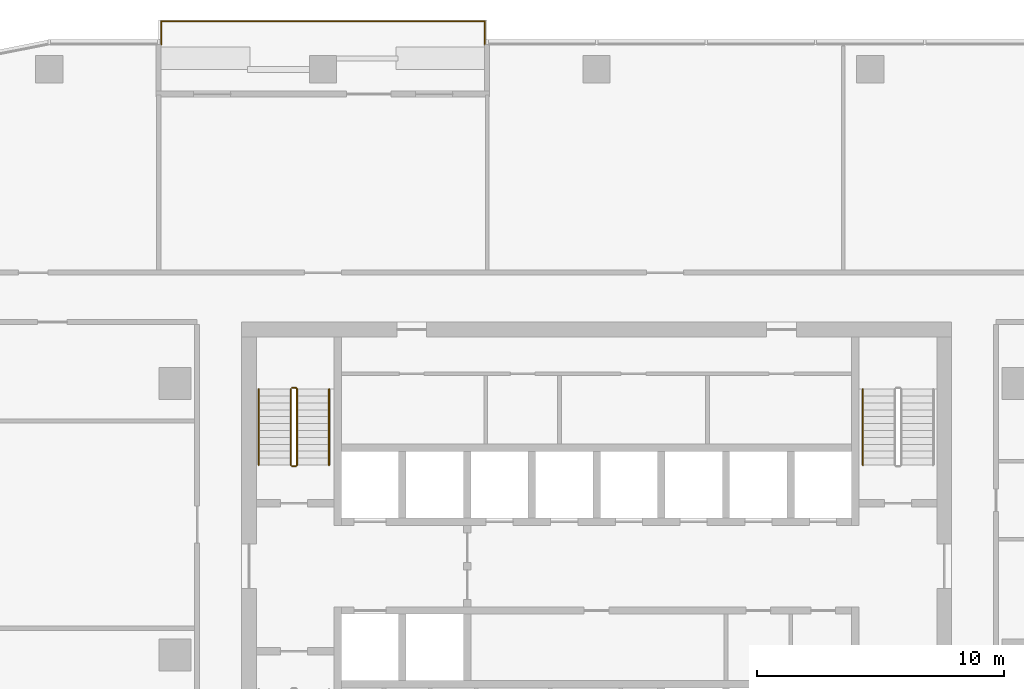
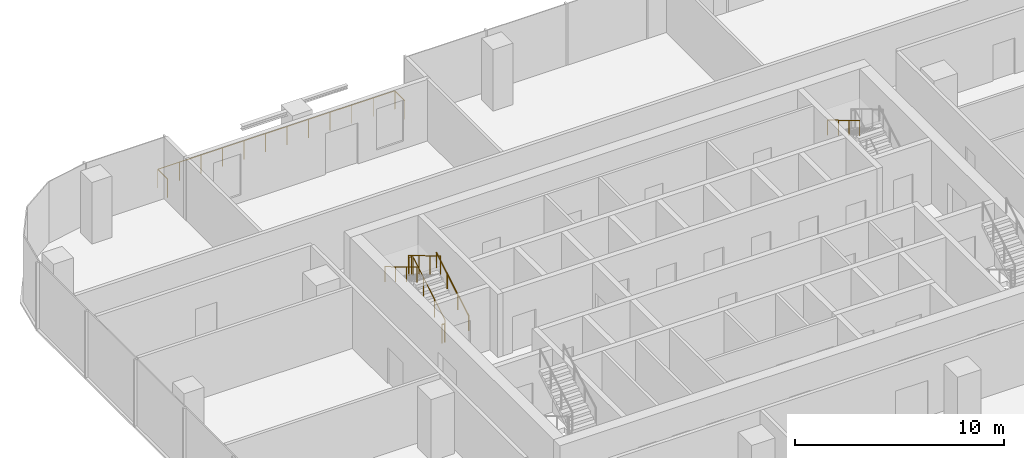
# One storey, part 13 of 14: 7 railings.
"""IFC4 building model written with IfcOpenShell, lengths in metres."""

from ifc_helpers import new_model, si_unit, direction, frame, origin, origin_2d, place, context, subcontext, project, spatial, circle, extrude, material, type_object, element, save


model = new_model("IFC4")

# Units and contexts
model_context = context("Model", 3, precision=1e-05, world=origin(), true_north=direction((0.0, 1.0)))
body_context = subcontext(model_context, "Body", "Model", "MODEL_VIEW")
ifc_project = project(units=[si_unit("LENGTHUNIT", "METRE"), si_unit("AREAUNIT", "SQUARE_METRE"), si_unit("VOLUMEUNIT", "CUBIC_METRE"), si_unit("PLANEANGLEUNIT", "RADIAN"), si_unit("MASSUNIT", "GRAM", prefix="KILO")], contexts=[model_context])

# Site, building, storey
site_placement = place(None, origin())
site = spatial("IfcSite", under=ifc_project, at=site_placement, CompositionType="ELEMENT")
building_placement = place(site_placement, origin())
building = spatial("IfcBuilding", under=site, at=building_placement, Name="Mopane Tessera Tower", CompositionType="ELEMENT")
storey_placement = place(building_placement, frame((0.0, 0.0, 227.0)))
storey = spatial("IfcBuildingStorey", under=building, at=storey_placement, Name="L48", CompositionType="ELEMENT", Elevation=227.0)

# Railings
ifc_material_1 = material(Name="Powder-coated steel balustrade", Category="steel")
railing_type_1 = type_object("IfcRailingType", Name="Escape stair guard 1100 mm", PredefinedType="GUARDRAIL", material=ifc_material_1)
railing_1_placement = place(storey_placement, frame((-12.14990234375, 7.699951171875, 0.166748046875)))
element("IfcRailing", 1, at=railing_1_placement, inside=storey, type_object=railing_type_1, Name="L48 ST2 stair guard 1", PredefinedType="GUARDRAIL", context=body_context, shape_type="SweptSolid", body=[
    extrude(circle(Radius=0.02392578125, at=origin_2d()), frame((0.0, 0.0, 1.076171875), z_axis=(0.0, 0.859308565015, 0.511457515432), x_axis=(-1.0, 0.0, 0.0)), (0.0, 0.0, 1.0), 3.58447265625),
    extrude(circle(Radius=0.02392578125, at=origin_2d()), frame((0.0, 3.080078125, 2.9091796875), z_axis=(-0.707106781187, 0.707106781187, 0.0), x_axis=(-0.707106781187, -0.707106781187, 0.0)), (0.0, 0.0, 1.0), 0.07080078125),
    extrude(circle(Radius=0.02392578125, at=origin_2d()), frame((-0.050048828125, 3.130126953125, 2.9091796875), z_axis=(-1.0, 0.0, 0.0), x_axis=(0.0, -1.0, 0.0)), (0.0, 0.0, 1.0), 0.150146484375),
    extrude(circle(Radius=0.02099609375, at=origin_2d()), origin(), (0.0, 0.0, 1.0), 1.052001953125),
    extrude(circle(Radius=0.02099609375, at=origin_2d()), frame((0.0, 1.026611328125, 0.611083984375)), (0.0, 0.0, 1.0), 1.052001953125),
    extrude(circle(Radius=0.02099609375, at=origin_2d()), frame((0.0, 2.053466796875, 1.22216796875)), (0.0, 0.0, 1.0), 1.052001953125),
    extrude(circle(Radius=0.02099609375, at=origin_2d()), frame((0.0, 3.080078125, 1.833251953125)), (0.0, 0.0, 1.0), 1.052001953125),
    extrude(circle(Radius=0.02099609375, at=origin_2d()), frame((-0.050048828125, 3.130126953125, 1.833251953125)), (0.0, 0.0, 1.0), 1.052001953125),
    extrude(circle(Radius=0.02099609375, at=origin_2d()), frame((-0.2001953125, 3.130126953125, 1.833251953125)), (0.0, 0.0, 1.0), 1.052001953125),
])
railing_2_placement = place(storey_placement, frame((-12.39990234375, 10.780029296875, 2.166748046875)))
element("IfcRailing", 2, at=railing_2_placement, inside=storey, type_object=railing_type_1, Name="L48 ST2 stair guard 2", PredefinedType="GUARDRAIL", context=body_context, shape_type="SweptSolid", body=[
    extrude(circle(Radius=0.02392578125, at=origin_2d()), frame((0.0, 0.0, 1.076171875), z_axis=(0.0, -0.859308565015, 0.511457515432), x_axis=(1.0, 0.0, 0.0)), (0.0, 0.0, 1.0), 3.58447265625),
    extrude(circle(Radius=0.02099609375, at=origin_2d()), origin(), (0.0, 0.0, 1.0), 1.052001953125),
    extrude(circle(Radius=0.02099609375, at=origin_2d()), frame((0.0, -1.026611328125, 0.611083984375)), (0.0, 0.0, 1.0), 1.052001953125),
    extrude(circle(Radius=0.02099609375, at=origin_2d()), frame((0.0, -2.053466796875, 1.22216796875)), (0.0, 0.0, 1.0), 1.052001953125),
    extrude(circle(Radius=0.02099609375, at=origin_2d()), frame((0.0, -3.080078125, 1.833251953125)), (0.0, 0.0, 1.0), 1.052001953125),
])
railing_3_placement = place(storey_placement, frame((-12.199951171875, 7.64990234375, 0.0)))
element("IfcRailing", 3, at=railing_3_placement, inside=storey, type_object=railing_type_1, Name="L48 ST2 stair guard 3", PredefinedType="GUARDRAIL", context=body_context, shape_type="SweptSolid", body=[
    extrude(circle(Radius=0.02392578125, at=origin_2d()), frame((0.0, 0.0, 1.076171875), z_axis=(-1.0, 0.0, 0.0), x_axis=(0.0, -1.0, 0.0)), (0.0, 0.0, 1.0), 0.150146484375),
    extrude(circle(Radius=0.02099609375, at=origin_2d()), origin(), (0.0, 0.0, 1.0), 1.052001953125),
    extrude(circle(Radius=0.02099609375, at=origin_2d()), frame((-0.150146484375, 0.0, 0.0)), (0.0, 0.0, 1.0), 1.052001953125),
])
ifc_material_2 = material(Name="Powder-coated steel balustrade", Category="steel")
railing_type_2 = type_object("IfcRailingType", Name="Escape stair handrail 900 mm", PredefinedType="HANDRAIL", material=ifc_material_2)
railing_4_placement = place(storey_placement, frame((-10.85009765625, 7.699951171875, 0.166748046875)))
element("IfcRailing", 4, at=railing_4_placement, inside=storey, type_object=railing_type_2, Name="L48 ST2 stair handrail 1", PredefinedType="HANDRAIL", context=body_context, shape_type="SweptSolid", body=[
    extrude(circle(Radius=0.02392578125, at=origin_2d()), frame((0.0, 0.0, 0.8759765625), z_axis=(0.0, 0.859308565015, 0.511457515432), x_axis=(-1.0, 0.0, 0.0)), (0.0, 0.0, 1.0), 3.58447265625),
    extrude(circle(Radius=0.02099609375, at=origin_2d()), origin(), (0.0, 0.0, 1.0), 0.851806640625),
    extrude(circle(Radius=0.02099609375, at=origin_2d()), frame((0.0, 1.026611328125, 0.611083984375)), (0.0, 0.0, 1.0), 0.851806640625),
    extrude(circle(Radius=0.02099609375, at=origin_2d()), frame((0.0, 2.053466796875, 1.22216796875)), (0.0, 0.0, 1.0), 0.851806640625),
    extrude(circle(Radius=0.02099609375, at=origin_2d()), frame((0.0, 3.080078125, 1.833251953125)), (0.0, 0.0, 1.0), 0.851806640625),
])
for number, where, name in (
    (5, (-13.699951171875, 10.780029296875, 2.166748046875), "L48 ST2 stair handrail 2"),
    (6, (10.800048828125, 10.780029296875, 2.166748046875), "L48 ST4 stair handrail 2"),
):
    element("IfcRailing", number, at=place(storey_placement, frame(where)), inside=storey, type_object=railing_type_2, Name=name, PredefinedType="HANDRAIL", context=body_context, shape_type="SweptSolid", body=[
        extrude(circle(Radius=0.02392578125, at=origin_2d()), frame((0.0, 0.0, 0.8759765625), z_axis=(0.0, -0.859308565015, 0.511457515432), x_axis=(1.0, 0.0, 0.0)), (0.0, 0.0, 1.0), 3.58447265625),
        extrude(circle(Radius=0.02099609375, at=origin_2d()), origin(), (0.0, 0.0, 1.0), 0.851806640625),
        extrude(circle(Radius=0.02099609375, at=origin_2d()), frame((0.0, -1.026611328125, 0.611083984375)), (0.0, 0.0, 1.0), 0.851806640625),
        extrude(circle(Radius=0.02099609375, at=origin_2d()), frame((0.0, -2.053466796875, 1.22216796875)), (0.0, 0.0, 1.0), 0.851806640625),
        extrude(circle(Radius=0.02099609375, at=origin_2d()), frame((0.0, -3.080078125, 1.833251953125)), (0.0, 0.0, 1.0), 0.851806640625),
    ])
ifc_material_3 = material(Name="Stainless steel S316", Category="steel")
railing_type_3 = type_object("IfcRailingType", Name="Terrace guard 1100", PredefinedType="GUARDRAIL", material=ifc_material_3)
railing_5_placement = place(storey_placement, frame((-4.5400390625, 24.75, 0.0)))
element("IfcRailing", 7, at=railing_5_placement, inside=storey, type_object=railing_type_3, Name="e:nw:L48:N3:guard", PredefinedType="GUARDRAIL", context=body_context, shape_type="SweptSolid", body=[
    extrude(circle(Radius=0.02392578125, at=origin_2d()), frame((0.0, 0.0, 1.076171875), z_axis=(0.0, 1.0, 0.0), x_axis=(-1.0, 0.0, 0.0)), (0.0, 0.0, 1.0), 0.949951171875),
    extrude(circle(Radius=0.02392578125, at=origin_2d()), frame((0.0, 0.949951171875, 1.076171875), z_axis=(-1.0, 0.0, 0.0), x_axis=(0.0, -1.0, 0.0)), (0.0, 0.0, 1.0), 13.119873046875),
    extrude(circle(Radius=0.02392578125, at=origin_2d()), frame((-13.119873046875, 0.949951171875, 1.076171875), z_axis=(0.0, -1.0, 0.0), x_axis=(1.0, 0.0, 0.0)), (0.0, 0.0, 1.0), 0.949951171875),
    extrude(circle(Radius=0.02099609375, at=origin_2d()), origin(), (0.0, 0.0, 1.0), 1.052001953125),
    extrude(circle(Radius=0.02099609375, at=origin_2d()), frame((0.0, 0.949951171875, 0.0)), (0.0, 0.0, 1.0), 1.052001953125),
    extrude(circle(Radius=0.02099609375, at=origin_2d()), frame((-1.192626953125, 0.949951171875, 0.0)), (0.0, 0.0, 1.0), 1.052001953125),
    extrude(circle(Radius=0.02099609375, at=origin_2d()), frame((-2.385498046875, 0.949951171875, 0.0)), (0.0, 0.0, 1.0), 1.052001953125),
    extrude(circle(Radius=0.02099609375, at=origin_2d()), frame((-3.578125, 0.949951171875, 0.0)), (0.0, 0.0, 1.0), 1.052001953125),
    extrude(circle(Radius=0.02099609375, at=origin_2d()), frame((-4.770751953125, 0.949951171875, 0.0)), (0.0, 0.0, 1.0), 1.052001953125),
    extrude(circle(Radius=0.02099609375, at=origin_2d()), frame((-5.963623046875, 0.949951171875, 0.0)), (0.0, 0.0, 1.0), 1.052001953125),
    extrude(circle(Radius=0.02099609375, at=origin_2d()), frame((-7.15625, 0.949951171875, 0.0)), (0.0, 0.0, 1.0), 1.052001953125),
    extrude(circle(Radius=0.02099609375, at=origin_2d()), frame((-8.34912109375, 0.949951171875, 0.0)), (0.0, 0.0, 1.0), 1.052001953125),
    extrude(circle(Radius=0.02099609375, at=origin_2d()), frame((-9.541748046875, 0.949951171875, 0.0)), (0.0, 0.0, 1.0), 1.052001953125),
    extrude(circle(Radius=0.02099609375, at=origin_2d()), frame((-10.734375, 0.949951171875, 0.0)), (0.0, 0.0, 1.0), 1.052001953125),
    extrude(circle(Radius=0.02099609375, at=origin_2d()), frame((-11.92724609375, 0.949951171875, 0.0)), (0.0, 0.0, 1.0), 1.052001953125),
    extrude(circle(Radius=0.02099609375, at=origin_2d()), frame((-13.119873046875, 0.949951171875, 0.0)), (0.0, 0.0, 1.0), 1.052001953125),
    extrude(circle(Radius=0.02099609375, at=origin_2d()), frame((-13.119873046875, 0.0, 0.0)), (0.0, 0.0, 1.0), 1.052001953125),
])

save(model, "model.ifc")
